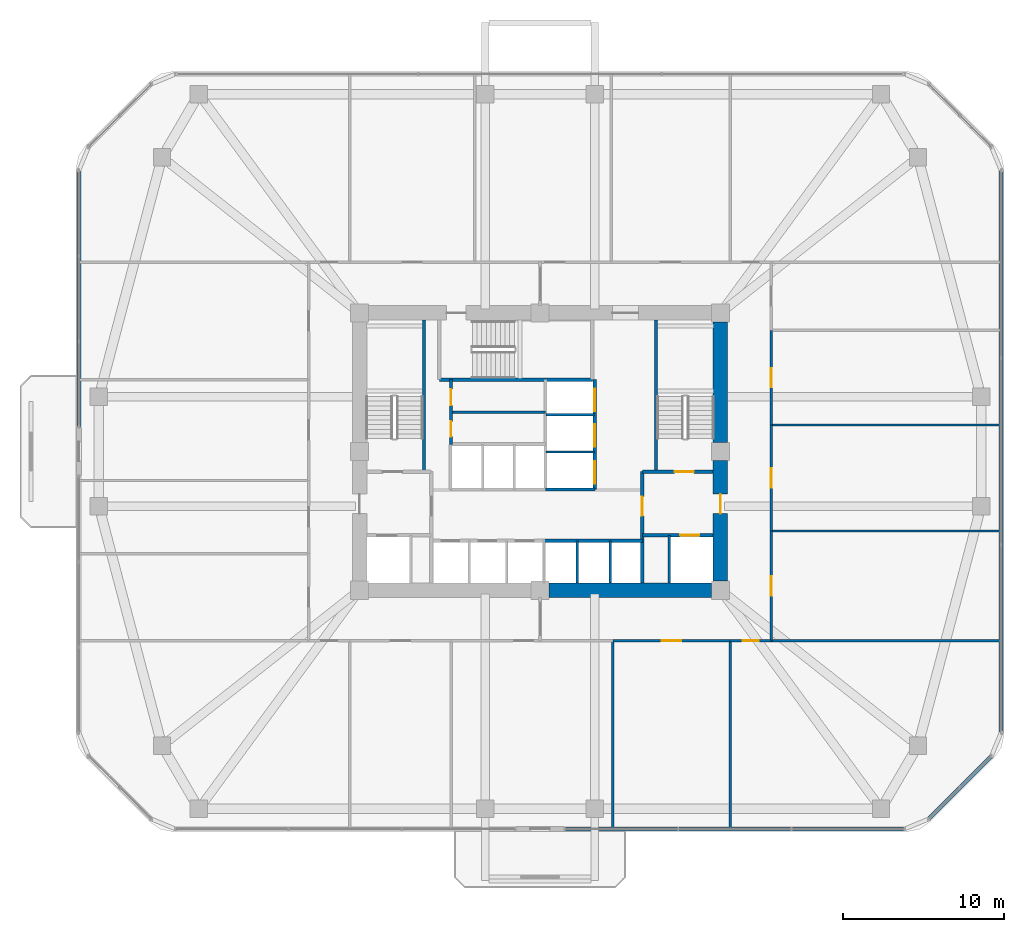
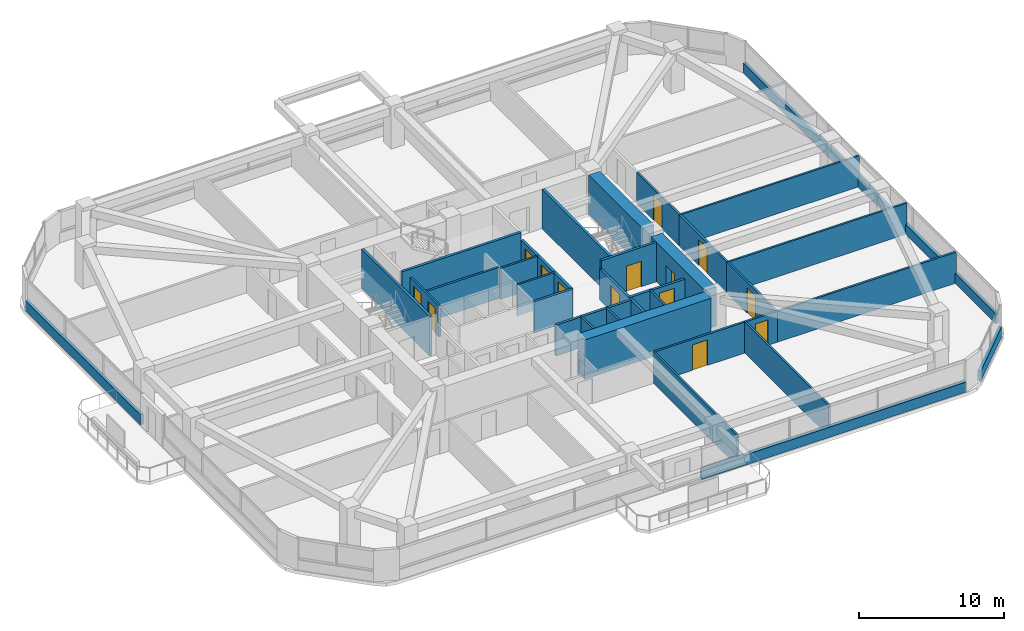
# One storey, part 10 of 13: 33 walls, 14 doors, 14 openings.
"""IFC4 building model written with IfcOpenShell, lengths in metres."""

from ifc_helpers import new_model, si_unit, derived_unit, direction, frame, frame_2d, origin, place, context, subcontext, project, spatial, rectangle, extrude, material, layer, layer_set, type_object, element, fill, save


model = new_model("IFC4")

# Units and contexts
model_context = context("Model", 3, precision=1e-05, world=origin(), true_north=direction((0.0, 1.0)))
body_context = subcontext(model_context, "Body", "Model", "MODEL_VIEW")
ifc_project = project(units=[si_unit("LENGTHUNIT", "METRE"), si_unit("AREAUNIT", "SQUARE_METRE"), si_unit("VOLUMEUNIT", "CUBIC_METRE"), si_unit("PLANEANGLEUNIT", "RADIAN"), si_unit("MASSUNIT", "GRAM", prefix="KILO"), derived_unit("THERMALTRANSMITTANCEUNIT", [(si_unit("POWERUNIT", "WATT"), 1), (si_unit("LENGTHUNIT", "METRE"), -2), (si_unit("THERMODYNAMICTEMPERATUREUNIT", "KELVIN"), -1)])], contexts=[model_context])

# Site, building, storey
site_placement = place(None, origin())
site = spatial("IfcSite", under=ifc_project, at=site_placement, CompositionType="ELEMENT")
building_placement = place(site_placement, origin())
building = spatial("IfcBuilding", under=site, at=building_placement, Name="Koralith Skygarden Medical Center", CompositionType="ELEMENT")
storey_placement = place(building_placement, frame((0.0, 0.0, 63.5400390625)))
storey = spatial("IfcBuildingStorey", under=building, at=storey_placement, Name="L16", CompositionType="ELEMENT", Elevation=63.5400390625)

# Walls
ifc_material_1 = material(Name="Gypsum Board Partition")
ifc_layer_1 = layer(ifc_material_1, 0.14990234375)
ifc_layer_set_1 = layer_set([ifc_layer_1], Name="Gypsum Board Partition")
wall_type_1 = type_object("IfcWallType", Name="Clinical Acoustic Partition 150", PredefinedType="PARTITIONING", material=ifc_layer_set_1)
for number, where, z_axis, x_axis, name in (
    (1, (41.527099609375, 14.14990234375, 0.0), (0.0, 0.0, 1.0), (0.0, -1.0, 0.0), "L16 Clinical Acoustic Partition 150 W-PART-L16-S-03"),
    (2, (48.800048828125, 14.14990234375, 0.0), (0.0, 0.0, 1.0), (0.0, -1.0, 0.0), "L16 Clinical Acoustic Partition 150 W-PART-L16-S-04"),
):
    element("IfcWall", number, at=place(storey_placement, frame(where, z_axis=z_axis, x_axis=x_axis)), inside=storey, type_object=wall_type_1, Name=name, PredefinedType="PARTITIONING", context=body_context, shape_type="SweptSolid", body=[
        extrude(rectangle(XDim=11.64990234375, YDim=0.14990234375, at=frame_2d((5.824951171875, 0.0))), origin(), (0.0, 0.0, 1.0), 2.60986328125),
    ])
for number, where, z_axis, x_axis, name in (
    (3, (51.35009765625, 20.965087890625, 0.0), (0.0, 0.0, 1.0), (1.0, 0.0, 0.0), "L16 Clinical Acoustic Partition 150 W-PART-L16-E-01"),
    (4, (51.35009765625, 27.544921875, 0.0), (0.0, 0.0, 1.0), (1.0, 0.0, 0.0), "L16 Clinical Acoustic Partition 150 W-PART-L16-E-02"),
):
    element("IfcWall", number, at=place(storey_placement, frame(where, z_axis=z_axis, x_axis=x_axis)), inside=storey, type_object=wall_type_1, Name=name, PredefinedType="PARTITIONING", context=body_context, shape_type="SweptSolid", body=[
        extrude(rectangle(XDim=14.25, YDim=0.14990234375, at=frame_2d((7.125, 0.0))), origin(), (0.0, 0.0, 1.0), 2.60986328125),
    ])
ifc_layer_2 = layer(ifc_material_1, 0.1650390625)
ifc_layer_set_2 = layer_set([ifc_layer_2], Name="Gypsum Board Partition")
wall_type_2 = type_object("IfcWallType", Name="Clinical Corridor Partition 165", PredefinedType="PARTITIONING", material=ifc_layer_set_2)
wall_1_placement = place(storey_placement, frame((51.35009765625, 14.14990234375, 0.0), z_axis=(0.0, 0.0, 1.0), x_axis=(1.0, 0.0, 0.0)))
element("IfcWall", 5, at=wall_1_placement, inside=storey, type_object=wall_type_2, Name="L16 Clinical Corridor Partition 165 W-WB-L16-SE", PredefinedType="PARTITIONING", context=body_context, shape_type="SweptSolid", body=[
    extrude(rectangle(XDim=14.25, YDim=0.1650390625, at=frame_2d((7.125, 0.0))), origin(), (0.0, 0.0, 1.0), 2.60986328125),
])

# Wall, opening, door
wall_2_placement = place(storey_placement, frame((41.527099609375, 14.14990234375, 0.0), z_axis=(0.0, 0.0, 1.0), x_axis=(1.0, 0.0, 0.0)))
wall_2 = element("IfcWall", 6, at=wall_2_placement, inside=storey, type_object=wall_type_2, Name="L16 Clinical Corridor Partition 165 W-CORR-L16-S-04", PredefinedType="PARTITIONING", context=body_context, shape_type="SweptSolid", body=[
    extrude(rectangle(XDim=7.27294921875, YDim=0.1650390625, at=frame_2d((3.636474609375, 0.0))), origin(), (0.0, 0.0, 1.0), 2.60986328125),
])
opening_1_placement = place(wall_2_placement, frame((3.035888671875, 0.0, 0.0)))
opening_1 = element("IfcOpeningElement", 7, at=opening_1_placement, cuts=wall_2, Name="Opening D-CLN", PredefinedType="OPENING", context=body_context, shape_type="SweptSolid", body=[
    extrude(rectangle(XDim=1.199951171875, YDim=2.14990234375, at=frame_2d((0.60009765625, 1.074951171875))), frame((0.0, 0.092529296875, 0.0), z_axis=(0.0, -1.0, 0.0), x_axis=(1.0, 0.0, 0.0)), (0.0, 0.0, 1.0), 0.18505859375),
])
ifc_material_2 = material(Name="Aluminium 6063-T6", Category="aluminium")
door_type_1 = type_object("IfcDoorType", Name="Clinical Corridor Door D-CLN 1200", OperationType="NOTDEFINED", PredefinedType="DOOR", material=ifc_material_2)
door_1_placement = place(opening_1_placement, frame((1.199951171875, 0.0, 0.0), z_axis=(0.0, 0.0, 1.0), x_axis=(-1.0, 0.0, 0.0)))
door_1 = element("IfcDoor", 8, at=door_1_placement, inside=storey, type_object=door_type_1, Name="L16 Medical Device Alcove Store 09 Door", OperationType="SINGLE_SWING_RIGHT", OverallHeight=2.14990234375, OverallWidth=1.199951171875, PredefinedType="DOOR", context=body_context, shape_type="SweptSolid", body=[
    extrude(rectangle(XDim=1.199951171875, YDim=2.14990234375, at=frame_2d((0.60009765625, 1.074951171875))), frame((0.0, 0.02490234375, 0.0), z_axis=(0.0, -1.0, 0.0), x_axis=(1.0, 0.0, 0.0)), (0.0, 0.0, 1.0), 0.050048828125),
])
fill(opening_1, door_1)

wall_3_placement = place(storey_placement, frame((48.800048828125, 14.14990234375, 0.0), z_axis=(0.0, 0.0, 1.0), x_axis=(1.0, 0.0, 0.0)))
wall_3 = element("IfcWall", 9, at=wall_3_placement, inside=storey, type_object=wall_type_2, Name="L16 Clinical Corridor Partition 165 W-CORR-L16-S-05", PredefinedType="PARTITIONING", context=body_context, shape_type="SweptSolid", body=[
    extrude(rectangle(XDim=2.550048828125, YDim=0.1650390625, at=frame_2d((1.27490234375, 0.0))), origin(), (0.0, 0.0, 1.0), 2.60986328125),
])
opening_2_placement = place(wall_3_placement, frame((0.77490234375, 0.0, 0.0)))
opening_2 = element("IfcOpeningElement", 10, at=opening_2_placement, cuts=wall_3, Name="Opening D-SUP", PredefinedType="OPENING", context=body_context, shape_type="SweptSolid", body=[
    extrude(rectangle(XDim=1.0, YDim=2.14990234375, at=frame_2d((0.5, 1.074951171875))), frame((0.0, 0.092529296875, 0.0), z_axis=(0.0, -1.0, 0.0), x_axis=(1.0, 0.0, 0.0)), (0.0, 0.0, 1.0), 0.18505859375),
])
door_type_2 = type_object("IfcDoorType", Name="Clinical Support Door D-SUP 1000", OperationType="NOTDEFINED", PredefinedType="DOOR", material=ifc_material_2)
door_2_placement = place(opening_2_placement, frame((1.0, 0.0, 0.0), z_axis=(0.0, 0.0, 1.0), x_axis=(-1.0, 0.0, 0.0)))
door_2 = element("IfcDoor", 11, at=door_2_placement, inside=storey, type_object=door_type_2, Name="L16 Neurology Consultation Office 10 Door", OperationType="SINGLE_SWING_LEFT", OverallHeight=2.14990234375, OverallWidth=1.0, PredefinedType="DOOR", context=body_context, shape_type="SweptSolid", body=[
    extrude(rectangle(XDim=1.0, YDim=2.14990234375, at=frame_2d((0.5, 1.074951171875))), frame((0.0, 0.02490234375, 0.0), z_axis=(0.0, -1.0, 0.0), x_axis=(1.0, 0.0, 0.0)), (0.0, 0.0, 1.0), 0.050048828125),
])
fill(opening_2, door_2)

wall_4_placement = place(storey_placement, frame((51.35009765625, 14.14990234375, 0.0), z_axis=(0.0, 0.0, 1.0), x_axis=(0.0, 1.0, 0.0)))
wall_4 = element("IfcWall", 12, at=wall_4_placement, inside=storey, type_object=wall_type_2, Name="L16 Clinical Corridor Partition 165 W-CORR-L16-E-01", PredefinedType="PARTITIONING", context=body_context, shape_type="SweptSolid", body=[
    extrude(rectangle(XDim=6.815185546875, YDim=0.1650390625, at=frame_2d((3.40771484375, 0.0))), origin(), (0.0, 0.0, 1.0), 2.60986328125),
])
opening_3_placement = place(wall_4_placement, frame((2.806884765625, 0.0, 0.0)))
opening_3 = element("IfcOpeningElement", 13, at=opening_3_placement, cuts=wall_4, Name="Opening D-CLN", PredefinedType="OPENING", context=body_context, shape_type="SweptSolid", body=[
    extrude(rectangle(XDim=1.199951171875, YDim=2.14990234375, at=frame_2d((0.60009765625, 1.074951171875))), frame((0.0, 0.092529296875, 0.0), z_axis=(0.0, -1.0, 0.0), x_axis=(1.0, 0.0, 0.0)), (0.0, 0.0, 1.0), 0.18505859375),
])
door_3_placement = place(opening_3_placement, origin())
door_3 = element("IfcDoor", 14, at=door_3_placement, inside=storey, type_object=door_type_1, Name="L16 Neurology Consultation Office 15 Door", OperationType="SINGLE_SWING_RIGHT", OverallHeight=2.14990234375, OverallWidth=1.199951171875, PredefinedType="DOOR", context=body_context, shape_type="SweptSolid", body=[
    extrude(rectangle(XDim=1.199951171875, YDim=2.14990234375, at=frame_2d((0.60009765625, 1.074951171875))), frame((0.0, 0.02490234375, 0.0), z_axis=(0.0, -1.0, 0.0), x_axis=(1.0, 0.0, 0.0)), (0.0, 0.0, 1.0), 0.050048828125),
])
fill(opening_3, door_3)

wall_5_placement = place(storey_placement, frame((51.35009765625, 20.965087890625, 0.0), z_axis=(0.0, 0.0, 1.0), x_axis=(0.0, 1.0, 0.0)))
wall_5 = element("IfcWall", 15, at=wall_5_placement, inside=storey, type_object=wall_type_2, Name="L16 Clinical Corridor Partition 165 W-CORR-L16-E-02", PredefinedType="PARTITIONING", context=body_context, shape_type="SweptSolid", body=[
    extrude(rectangle(XDim=6.579833984375, YDim=0.1650390625, at=frame_2d((3.2900390625, 0.0))), origin(), (0.0, 0.0, 1.0), 2.60986328125),
])
opening_4_placement = place(wall_5_placement, frame((2.68994140625, 0.0, 0.0)))
opening_4 = element("IfcOpeningElement", 16, at=opening_4_placement, cuts=wall_5, Name="Opening D-CLN", PredefinedType="OPENING", context=body_context, shape_type="SweptSolid", body=[
    extrude(rectangle(XDim=1.199951171875, YDim=2.14990234375, at=frame_2d((0.60009765625, 1.074951171875))), frame((0.0, 0.092529296875, 0.0), z_axis=(0.0, -1.0, 0.0), x_axis=(1.0, 0.0, 0.0)), (0.0, 0.0, 1.0), 0.18505859375),
])
door_4_placement = place(opening_4_placement, origin())
door_4 = element("IfcDoor", 17, at=door_4_placement, inside=storey, type_object=door_type_1, Name="L16 Electromyography Reading Office 16 Door", OperationType="SINGLE_SWING_LEFT", OverallHeight=2.14990234375, OverallWidth=1.199951171875, PredefinedType="DOOR", context=body_context, shape_type="SweptSolid", body=[
    extrude(rectangle(XDim=1.199951171875, YDim=2.14990234375, at=frame_2d((0.60009765625, 1.074951171875))), frame((0.0, 0.02490234375, 0.0), z_axis=(0.0, -1.0, 0.0), x_axis=(1.0, 0.0, 0.0)), (0.0, 0.0, 1.0), 0.050048828125),
])
fill(opening_4, door_4)

wall_6_placement = place(storey_placement, frame((51.35009765625, 27.544921875, 0.0), z_axis=(0.0, 0.0, 1.0), x_axis=(0.0, 1.0, 0.0)))
wall_6 = element("IfcWall", 18, at=wall_6_placement, inside=storey, type_object=wall_type_2, Name="L16 Clinical Corridor Partition 165 W-CORR-L16-E-03", PredefinedType="PARTITIONING", context=body_context, shape_type="SweptSolid", body=[
    extrude(rectangle(XDim=5.875, YDim=0.1650390625, at=frame_2d((2.9375, 0.0))), origin(), (0.0, 0.0, 1.0), 2.60986328125),
])
opening_5_placement = place(wall_6_placement, frame((2.3369140625, 0.0, 0.0)))
opening_5 = element("IfcOpeningElement", 19, at=opening_5_placement, cuts=wall_6, Name="Opening D-CLN", PredefinedType="OPENING", context=body_context, shape_type="SweptSolid", body=[
    extrude(rectangle(XDim=1.199951171875, YDim=2.14990234375, at=frame_2d((0.60009765625, 1.074951171875))), frame((0.0, 0.092529296875, 0.0), z_axis=(0.0, -1.0, 0.0), x_axis=(1.0, 0.0, 0.0)), (0.0, 0.0, 1.0), 0.18505859375),
])
door_5_placement = place(opening_5_placement, origin())
door_5 = element("IfcDoor", 20, at=door_5_placement, inside=storey, type_object=door_type_1, Name="L16 Neuropsychology Testing Office 17 Door", OperationType="SINGLE_SWING_RIGHT", OverallHeight=2.14990234375, OverallWidth=1.199951171875, PredefinedType="DOOR", context=body_context, shape_type="SweptSolid", body=[
    extrude(rectangle(XDim=1.199951171875, YDim=2.14990234375, at=frame_2d((0.60009765625, 1.074951171875))), frame((0.0, 0.02490234375, 0.0), z_axis=(0.0, -1.0, 0.0), x_axis=(1.0, 0.0, 0.0)), (0.0, 0.0, 1.0), 0.050048828125),
])
fill(opening_5, door_5)

ifc_layer_3 = layer(ifc_material_1, 0.199951171875)
ifc_layer_set_3 = layer_set([ifc_layer_3], Name="Gypsum Board Partition")
wall_type_3 = type_object("IfcWallType", Name="Fire Shaft Wall 200", PredefinedType="SOLIDWALL", material=ifc_layer_set_3)
wall_7_placement = place(storey_placement, frame((43.35009765625, 20.699951171875, 0.0), z_axis=(0.0, 0.0, 1.0), x_axis=(1.0, 0.0, 0.0)))
wall_7 = element("IfcWall", 21, at=wall_7_placement, inside=storey, type_object=wall_type_3, Name="L16 Fire Shaft Wall 200 W-CORE-L16-FF2-N", PredefinedType="SOLIDWALL", context=body_context, shape_type="SweptSolid", body=[
    extrude(rectangle(XDim=4.39990234375, YDim=0.199951171875, at=frame_2d((2.199951171875, 0.0))), origin(), (0.0, 0.0, 1.0), 2.60986328125),
])
opening_6_placement = place(wall_7_placement, frame((2.35009765625, 0.0, 0.0)))
opening_6 = element("IfcOpeningElement", 22, at=opening_6_placement, cuts=wall_7, Name="Opening LD-FF", PredefinedType="OPENING", context=body_context, shape_type="SweptSolid", body=[
    extrude(rectangle(XDim=1.199951171875, YDim=2.14990234375, at=frame_2d((0.60009765625, 1.074951171875))), frame((0.0, 0.10986328125, 0.0), z_axis=(0.0, -1.0, 0.0), x_axis=(1.0, 0.0, 0.0)), (0.0, 0.0, 1.0), 0.219970703125),
])
ifc_material_3 = material(Name="Steel ASTM A500 Grade C", Category="steel")
door_type_3 = type_object("IfcDoorType", Name="Fire Lift Sliding Landing Door LD-FF 1200", OperationType="NOTDEFINED", PredefinedType="DOOR", material=ifc_material_3)
door_6_placement = place(opening_6_placement, origin())
door_6 = element("IfcDoor", 23, at=door_6_placement, inside=storey, type_object=door_type_3, Name="L16 Fire Service Elevator FF2 Landing Door", OperationType="SLIDING_TO_RIGHT", OverallHeight=2.14990234375, OverallWidth=1.199951171875, PredefinedType="DOOR", context=body_context, shape_type="SweptSolid", body=[
    extrude(rectangle(XDim=1.199951171875, YDim=2.14990234375, at=frame_2d((0.60009765625, 1.074951171875))), frame((0.0, 0.02490234375, 0.0), z_axis=(0.0, -1.0, 0.0), x_axis=(1.0, 0.0, 0.0)), (0.0, 0.0, 1.0), 0.050048828125),
])
fill(opening_6, door_6)

wall_8_placement = place(storey_placement, frame((43.35009765625, 17.75, 0.0), z_axis=(0.0, 0.0, 1.0), x_axis=(0.0, 1.0, 0.0)))
wall_8 = element("IfcWall", 24, at=wall_8_placement, inside=storey, type_object=wall_type_3, Name="L16 Fire Shaft Wall 200 W-CORE-L16-FSAEE-W", PredefinedType="SOLIDWALL", context=body_context, shape_type="SweptSolid", body=[
    extrude(rectangle(XDim=6.89990234375, YDim=0.199951171875, at=frame_2d((3.449951171875, 0.0))), origin(), (0.0, 0.0, 1.0), 2.60986328125),
])
opening_7_placement = place(wall_8_placement, frame((4.14990234375, 0.0, 0.0)))
opening_7 = element("IfcOpeningElement", 25, at=opening_7_placement, cuts=wall_8, Name="Opening D-ST60", PredefinedType="OPENING", context=body_context, shape_type="SweptSolid", body=[
    extrude(rectangle(XDim=1.199951171875, YDim=2.14990234375, at=frame_2d((0.60009765625, 1.074951171875))), frame((0.0, 0.10986328125, 0.0), z_axis=(0.0, -1.0, 0.0), x_axis=(1.0, 0.0, 0.0)), (0.0, 0.0, 1.0), 0.219970703125),
])
door_type_4 = type_object("IfcDoorType", Name="Smokeproof Stair Fire Door FD60S 1200", OperationType="NOTDEFINED", PredefinedType="DOOR", material=ifc_material_3)
door_7_placement = place(opening_7_placement, frame((1.199951171875, 0.0, 0.0), z_axis=(0.0, 0.0, 1.0), x_axis=(-1.0, 0.0, 0.0)))
door_7 = element("IfcDoor", 26, at=door_7_placement, inside=storey, type_object=door_type_4, Name="L16 East Firefighting Lobby Inner Fire Door", OperationType="SINGLE_SWING_RIGHT", OverallHeight=2.14990234375, OverallWidth=1.199951171875, PredefinedType="DOOR", context=body_context, shape_type="SweptSolid", body=[
    extrude(rectangle(XDim=1.199951171875, YDim=2.14990234375, at=frame_2d((0.60009765625, 1.074951171875))), frame((0.0, 0.02490234375, 0.0), z_axis=(0.0, -1.0, 0.0), x_axis=(1.0, 0.0, 0.0)), (0.0, 0.0, 1.0), 0.050048828125),
])
fill(opening_7, door_7)

# Walls
wall_9_placement = place(storey_placement, frame((37.25, 20.360107421875, 0.0), z_axis=(0.0, 0.0, 1.0), x_axis=(1.0, 0.0, 0.0)))
element("IfcWall", 27, at=wall_9_placement, inside=storey, type_object=wall_type_3, Name="L16 Fire Shaft Wall 200 W-CORE-L16-PM-N", PredefinedType="SOLIDWALL", context=body_context, shape_type="SweptSolid", body=[
    extrude(rectangle(XDim=6.10009765625, YDim=0.199951171875, at=frame_2d((3.050048828125, 0.0))), origin(), (0.0, 0.0, 1.0), 2.60986328125),
])
wall_10_placement = place(storey_placement, frame((37.35009765625, 23.5400390625, 0.0), z_axis=(0.0, 0.0, 1.0), x_axis=(1.0, 0.0, 0.0)))
element("IfcWall", 28, at=wall_10_placement, inside=storey, type_object=wall_type_3, Name="L16 Fire Shaft Wall 200 W-CORE-L16-SV-S", PredefinedType="SOLIDWALL", context=body_context, shape_type="SweptSolid", body=[
    extrude(rectangle(XDim=3.0498046875, YDim=0.199951171875, at=frame_2d((1.52490234375, 0.0))), origin(), (0.0, 0.0, 1.0), 2.60986328125),
])

# Wall, openings, doors
wall_11_placement = place(storey_placement, frame((40.39990234375, 23.5400390625, 0.0), z_axis=(0.0, 0.0, 1.0), x_axis=(0.0, 1.0, 0.0)))
wall_11 = element("IfcWall", 29, at=wall_11_placement, inside=storey, type_object=wall_type_3, Name="L16 Fire Shaft Wall 200 W-CORE-L16-SV-E", PredefinedType="SOLIDWALL", context=body_context, shape_type="SweptSolid", body=[
    extrude(rectangle(XDim=6.820068359375, YDim=0.199951171875, at=frame_2d((3.41015625, 0.0))), origin(), (0.0, 0.0, 1.0), 2.60986328125),
])
opening_8_placement = place(wall_11_placement, frame((0.35009765625, 0.0, 0.0)))
opening_8 = element("IfcOpeningElement", 30, at=opening_8_placement, cuts=wall_11, Name="Opening LD-SV", PredefinedType="OPENING", context=body_context, shape_type="SweptSolid", body=[
    extrude(rectangle(XDim=1.39990234375, YDim=2.199951171875, at=frame_2d((0.699951171875, 1.10009765625))), frame((0.0, 0.10986328125, 0.0), z_axis=(0.0, -1.0, 0.0), x_axis=(1.0, 0.0, 0.0)), (0.0, 0.0, 1.0), 0.219970703125),
])
opening_9_placement = place(wall_11_placement, frame((2.64990234375, 0.0, 0.0)))
opening_9 = element("IfcOpeningElement", 31, at=opening_9_placement, cuts=wall_11, Name="Opening LD-SV", PredefinedType="OPENING", context=body_context, shape_type="SweptSolid", body=[
    extrude(rectangle(XDim=1.39990234375, YDim=2.199951171875, at=frame_2d((0.699951171875, 1.10009765625))), frame((0.0, 0.10986328125, 0.0), z_axis=(0.0, -1.0, 0.0), x_axis=(1.0, 0.0, 0.0)), (0.0, 0.0, 1.0), 0.219970703125),
])
opening_10_placement = place(wall_11_placement, frame((4.85009765625, 0.0, 0.0)))
opening_10 = element("IfcOpeningElement", 32, at=opening_10_placement, cuts=wall_11, Name="Opening LD-SV", PredefinedType="OPENING", context=body_context, shape_type="SweptSolid", body=[
    extrude(rectangle(XDim=1.39990234375, YDim=2.199951171875, at=frame_2d((0.699951171875, 1.10009765625))), frame((0.0, 0.10986328125, 0.0), z_axis=(0.0, -1.0, 0.0), x_axis=(1.0, 0.0, 0.0)), (0.0, 0.0, 1.0), 0.219970703125),
])
door_type_5 = type_object("IfcDoorType", Name="Bed Lift Sliding Landing Door LD-SV 1400", OperationType="NOTDEFINED", PredefinedType="DOOR", material=ifc_material_3)
door_8_placement = place(opening_8_placement, origin())
door_8 = element("IfcDoor", 33, at=door_8_placement, inside=storey, type_object=door_type_5, Name="L16 Bed Elevator BD1 Landing Door", OperationType="SLIDING_TO_LEFT", OverallHeight=2.199951171875, OverallWidth=1.39990234375, PredefinedType="DOOR", context=body_context, shape_type="SweptSolid", body=[
    extrude(rectangle(XDim=1.39990234375, YDim=2.199951171875, at=frame_2d((0.699951171875, 1.10009765625))), frame((0.0, 0.02490234375, 0.0), z_axis=(0.0, -1.0, 0.0), x_axis=(1.0, 0.0, 0.0)), (0.0, 0.0, 1.0), 0.050048828125),
])
fill(opening_8, door_8)
door_9_placement = place(opening_9_placement, origin())
door_9 = element("IfcDoor", 34, at=door_9_placement, inside=storey, type_object=door_type_5, Name="L16 Service Elevator BD2 Landing Door", OperationType="SLIDING_TO_LEFT", OverallHeight=2.199951171875, OverallWidth=1.39990234375, PredefinedType="DOOR", context=body_context, shape_type="SweptSolid", body=[
    extrude(rectangle(XDim=1.39990234375, YDim=2.199951171875, at=frame_2d((0.699951171875, 1.10009765625))), frame((0.0, 0.02490234375, 0.0), z_axis=(0.0, -1.0, 0.0), x_axis=(1.0, 0.0, 0.0)), (0.0, 0.0, 1.0), 0.050048828125),
])
fill(opening_9, door_9)
door_10_placement = place(opening_10_placement, origin())
door_10 = element("IfcDoor", 35, at=door_10_placement, inside=storey, type_object=door_type_5, Name="L16 Trauma Elevator TR1 Landing Door", OperationType="SLIDING_TO_RIGHT", OverallHeight=2.199951171875, OverallWidth=1.39990234375, PredefinedType="DOOR", context=body_context, shape_type="SweptSolid", body=[
    extrude(rectangle(XDim=1.39990234375, YDim=2.199951171875, at=frame_2d((0.699951171875, 1.10009765625))), frame((0.0, 0.02490234375, 0.0), z_axis=(0.0, -1.0, 0.0), x_axis=(1.0, 0.0, 0.0)), (0.0, 0.0, 1.0), 0.050048828125),
])
fill(opening_10, door_10)

# Walls
ifc_material_4 = material(Name="Warm Oolitic Limestone Cladding", Category="masonry")
ifc_layer_4 = layer(ifc_material_4, 0.239990234375)
ifc_layer_set_4 = layer_set([ifc_layer_4], Name="Warm Oolitic Limestone Cladding")
wall_type_4 = type_object("IfcWallType", Name="Limestone Spandrel Sill Backup Wall 240", PredefinedType="SOLIDWALL", material=ifc_layer_set_4)
wall_12_placement = place(storey_placement, frame((38.5400390625, 2.47998046875, 0.0), z_axis=(0.0, 0.0, 1.0), x_axis=(1.0, 0.0, 0.0)))
element("IfcWall", 36, at=wall_12_placement, inside=storey, type_object=wall_type_4, Name="L16 Sill Spandrel S-R", PredefinedType="SOLIDWALL", context=body_context, shape_type="SweptSolid", body=[
    extrude(rectangle(XDim=21.10498046875, YDim=0.239990234375, at=frame_2d((10.552490234375, 0.0))), origin(), (0.0, 0.0, 1.0), 0.849853515625),
])
wall_13_placement = place(storey_placement, frame((61.095947265625, 3.0810546875, 0.0), z_axis=(0.0, 0.0, 1.0), x_axis=(0.707128783731, 0.707084777957, 0.0)))
element("IfcWall", 37, at=wall_13_placement, inside=storey, type_object=wall_type_4, Name="L16 Sill Spandrel SE", PredefinedType="SOLIDWALL", context=body_context, shape_type="SweptSolid", body=[
    extrude(rectangle(XDim=5.5478515625, YDim=0.239990234375, at=frame_2d((2.77392578125, 0.0))), origin(), (0.0, 0.0, 1.0), 0.849853515625),
])
wall_14_placement = place(storey_placement, frame((65.6201171875, 8.455078125, 0.0), z_axis=(0.0, 0.0, 1.0), x_axis=(0.0, 1.0, 0.0)))
element("IfcWall", 38, at=wall_14_placement, inside=storey, type_object=wall_type_4, Name="L16 Sill Spandrel E", PredefinedType="SOLIDWALL", context=body_context, shape_type="SweptSolid", body=[
    extrude(rectangle(XDim=34.889892578125, YDim=0.239990234375, at=frame_2d((17.44482421875, 0.0))), origin(), (0.0, 0.0, 1.0), 0.849853515625),
])
wall_15_placement = place(storey_placement, frame((8.3798828125, 43.344970703125, 0.0), z_axis=(0.0, 0.0, 1.0), x_axis=(0.0, -1.0, 0.0)))
element("IfcWall", 39, at=wall_15_placement, inside=storey, type_object=wall_type_4, Name="L16 Sill Spandrel W-L", PredefinedType="SOLIDWALL", context=body_context, shape_type="SweptSolid", body=[
    extrude(rectangle(XDim=15.905029296875, YDim=0.239990234375, at=frame_2d((7.95263671875, 0.0))), origin(), (0.0, 0.0, 1.0), 0.849853515625),
])
ifc_material_5 = material(Name="Concrete C70/85", Category="concrete")
ifc_layer_5 = layer(ifc_material_5, 0.89990234375)
ifc_layer_set_5 = layer_set([ifc_layer_5], Name="Concrete C70/85")
wall_type_5 = type_object("IfcWallType", Name="Lower Core Shear Wall 900", PredefinedType="SHEAR", material=ifc_layer_set_5)
wall_16_placement = place(storey_placement, frame((37.56494140625, 17.300048828125, 0.0), z_axis=(0.0, 0.0, 1.0), x_axis=(1.0, 0.0, 0.0)))
element("IfcWall", 40, at=wall_16_placement, inside=storey, type_object=wall_type_5, Name="L16 Core Shear Wall Segment 2", PredefinedType="SHEAR", context=body_context, shape_type="SweptSolid", body=[
    extrude(rectangle(XDim=10.070068359375, YDim=0.89990234375, at=frame_2d((5.03515625, 0.0))), origin(), (0.0, 0.0, 1.0), 3.320068359375),
])

# Wall, opening, door
wall_17_placement = place(storey_placement, frame((48.199951171875, 17.864990234375, 0.0), z_axis=(0.0, 0.0, 1.0), x_axis=(0.0, 1.0, 0.0)))
wall_17 = element("IfcWall", 41, at=wall_17_placement, inside=storey, type_object=wall_type_5, Name="L16 Core Shear Wall Segment 3", PredefinedType="SHEAR", context=body_context, shape_type="SweptSolid", body=[
    extrude(rectangle(XDim=7.469970703125, YDim=0.89990234375, at=frame_2d((3.73486328125, 0.0))), origin(), (0.0, 0.0, 1.0), 3.320068359375),
])
opening_11_placement = place(wall_17_placement, frame((4.18505859375, 0.0, 0.0)))
opening_11 = element("IfcOpeningElement", 42, at=opening_11_placement, cuts=wall_17, Name="Opening D-ST60", PredefinedType="OPENING", context=body_context, shape_type="SweptSolid", body=[
    extrude(rectangle(XDim=1.199951171875, YDim=2.14990234375, at=frame_2d((0.60009765625, 1.074951171875))), frame((0.0, 0.4599609375, 0.0), z_axis=(0.0, -1.0, 0.0), x_axis=(1.0, 0.0, 0.0)), (0.0, 0.0, 1.0), 0.919921875),
])
door_11_placement = place(opening_11_placement, frame((1.199951171875, 0.0, 0.0), z_axis=(0.0, 0.0, 1.0), x_axis=(-1.0, 0.0, 0.0)))
door_11 = element("IfcDoor", 43, at=door_11_placement, inside=storey, type_object=door_type_4, Name="L16 East Corridor to Firefighting Lobby Door", OperationType="SINGLE_SWING_RIGHT", OverallHeight=2.14990234375, OverallWidth=1.199951171875, PredefinedType="DOOR", context=body_context, shape_type="SweptSolid", body=[
    extrude(rectangle(XDim=1.199951171875, YDim=2.14990234375, at=frame_2d((0.60009765625, 1.074951171875))), frame((0.0, 0.02490234375, 0.0), z_axis=(0.0, -1.0, 0.0), x_axis=(1.0, 0.0, 0.0)), (0.0, 0.0, 1.0), 0.050048828125),
])
fill(opening_11, door_11)

# Wall
wall_18_placement = place(storey_placement, frame((48.199951171875, 26.465087890625, 0.0), z_axis=(0.0, 0.0, 1.0), x_axis=(0.0, 1.0, 0.0)))
element("IfcWall", 44, at=wall_18_placement, inside=storey, type_object=wall_type_5, Name="L16 Core Shear Wall Segment 4", PredefinedType="SHEAR", context=body_context, shape_type="SweptSolid", body=[
    extrude(rectangle(XDim=7.469970703125, YDim=0.89990234375, at=frame_2d((3.73486328125, 0.0))), origin(), (0.0, 0.0, 1.0), 3.320068359375),
])

# Wall, openings, doors
ifc_layer_6 = layer(ifc_material_1, 0.1650390625)
ifc_layer_set_6 = layer_set([ifc_layer_6], Name="Gypsum Board Partition")
wall_type_6 = type_object("IfcWallType", Name="Plumbing Wet Wall 165", PredefinedType="PLUMBINGWALL", material=ifc_layer_set_6)
wall_19_placement = place(storey_placement, frame((31.47998046875, 26.320068359375, 0.0), z_axis=(0.0, 0.0, 1.0), x_axis=(0.0, 1.0, 0.0)))
wall_19 = element("IfcWall", 45, at=wall_19_placement, inside=storey, type_object=wall_type_6, Name="L16 Plumbing Wet Wall 165 W-CORE-L16-FLEX-W", PredefinedType="PLUMBINGWALL", context=body_context, shape_type="SweptSolid", body=[
    extrude(rectangle(XDim=4.0400390625, YDim=0.1650390625, at=frame_2d((2.02001953125, 0.0))), origin(), (0.0, 0.0, 1.0), 2.60986328125),
])
opening_12_placement = place(wall_19_placement, frame((0.5, 0.0, 0.0)))
opening_12 = element("IfcOpeningElement", 46, at=opening_12_placement, cuts=wall_19, Name="Opening D-WC", PredefinedType="OPENING", context=body_context, shape_type="SweptSolid", body=[
    extrude(rectangle(XDim=0.949951171875, YDim=2.10009765625, at=frame_2d((0.47509765625, 1.050048828125))), frame((0.0, 0.092529296875, 0.0), z_axis=(0.0, -1.0, 0.0), x_axis=(1.0, 0.0, 0.0)), (0.0, 0.0, 1.0), 0.18505859375),
])
opening_13_placement = place(wall_19_placement, frame((2.449951171875, 0.0, 0.0)))
opening_13 = element("IfcOpeningElement", 47, at=opening_13_placement, cuts=wall_19, Name="Opening D-SUP", PredefinedType="OPENING", context=body_context, shape_type="SweptSolid", body=[
    extrude(rectangle(XDim=1.0, YDim=2.14990234375, at=frame_2d((0.5, 1.074951171875))), frame((0.0, 0.092529296875, 0.0), z_axis=(0.0, -1.0, 0.0), x_axis=(1.0, 0.0, 0.0)), (0.0, 0.0, 1.0), 0.18505859375),
])
door_type_6 = type_object("IfcDoorType", Name="Accessible Toilet Door D-WC 950", OperationType="NOTDEFINED", PredefinedType="DOOR", material=ifc_material_2)
door_12_placement = place(opening_12_placement, frame((0.949951171875, 0.0, 0.0), z_axis=(0.0, 0.0, 1.0), x_axis=(-1.0, 0.0, 0.0)))
door_12 = element("IfcDoor", 48, at=door_12_placement, inside=storey, type_object=door_type_6, Name="L16 Core Accessible WC Door", OperationType="SINGLE_SWING_LEFT", OverallHeight=2.10009765625, OverallWidth=0.949951171875, PredefinedType="DOOR", context=body_context, shape_type="SweptSolid", body=[
    extrude(rectangle(XDim=0.949951171875, YDim=2.10009765625, at=frame_2d((0.47509765625, 1.050048828125))), frame((0.0, 0.02490234375, 0.0), z_axis=(0.0, -1.0, 0.0), x_axis=(1.0, 0.0, 0.0)), (0.0, 0.0, 1.0), 0.050048828125),
])
fill(opening_12, door_12)
door_13_placement = place(opening_13_placement, frame((1.0, 0.0, 0.0), z_axis=(0.0, 0.0, 1.0), x_axis=(-1.0, 0.0, 0.0)))
door_13 = element("IfcDoor", 49, at=door_13_placement, inside=storey, type_object=door_type_2, Name="L16 Core Clean Utility Door", OperationType="SINGLE_SWING_RIGHT", OverallHeight=2.14990234375, OverallWidth=1.0, PredefinedType="DOOR", context=body_context, shape_type="SweptSolid", body=[
    extrude(rectangle(XDim=1.0, YDim=2.14990234375, at=frame_2d((0.5, 1.074951171875))), frame((0.0, 0.02490234375, 0.0), z_axis=(0.0, -1.0, 0.0), x_axis=(1.0, 0.0, 0.0)), (0.0, 0.0, 1.0), 0.050048828125),
])
fill(opening_13, door_13)

# Walls
wall_20_placement = place(storey_placement, frame((31.47998046875, 28.340087890625, 0.0), z_axis=(0.0, 0.0, 1.0), x_axis=(1.0, 0.0, 0.0)))
element("IfcWall", 50, at=wall_20_placement, inside=storey, type_object=wall_type_6, Name="L16 Plumbing Wet Wall 165 W-CORE-L16-FLEX-H0", PredefinedType="PLUMBINGWALL", context=body_context, shape_type="SweptSolid", body=[
    extrude(rectangle(XDim=5.8701171875, YDim=0.1650390625, at=frame_2d((2.93505859375, 0.0))), origin(), (0.0, 0.0, 1.0), 2.60986328125),
])
ifc_layer_7 = layer(ifc_material_1, 0.14990234375)
ifc_layer_set_7 = layer_set([ifc_layer_7], Name="Gypsum Board Partition")
wall_type_7 = type_object("IfcWallType", Name="Shaft Partition Wall 150", PredefinedType="PARTITIONING", material=ifc_layer_set_7)
wall_21_placement = place(storey_placement, frame((45.02001953125, 17.75, 0.0), z_axis=(0.0, 0.0, 1.0), x_axis=(0.0, 1.0, 0.0)))
element("IfcWall", 51, at=wall_21_placement, inside=storey, type_object=wall_type_7, Name="L16 Shaft Partition Wall 150 W-CORE-L16-RSRE-DIV", PredefinedType="PARTITIONING", context=body_context, shape_type="SweptSolid", body=[
    extrude(rectangle(XDim=2.949951171875, YDim=0.14990234375, at=frame_2d((1.47509765625, 0.0))), origin(), (0.0, 0.0, 1.0), 2.60986328125),
])
for number, where, z_axis, x_axis, name in (
    (52, (39.320068359375, 17.75, 0.0), (0.0, 0.0, 1.0), (0.0, 1.0, 0.0), "L16 Shaft Partition Wall 150 W-CORE-L16-PM-D1"),
    (53, (41.3701171875, 17.75, 0.0), (0.0, 0.0, 1.0), (0.0, 1.0, 0.0), "L16 Shaft Partition Wall 150 W-CORE-L16-PM-D2"),
):
    element("IfcWall", number, at=place(storey_placement, frame(where, z_axis=z_axis, x_axis=x_axis)), inside=storey, type_object=wall_type_7, Name=name, PredefinedType="PARTITIONING", context=body_context, shape_type="SweptSolid", body=[
        extrude(rectangle(XDim=2.610107421875, YDim=0.14990234375, at=frame_2d((1.30517578125, 0.0))), origin(), (0.0, 0.0, 1.0), 2.60986328125),
    ])
for number, where, z_axis, x_axis, name in (
    (54, (37.3701171875, 25.8701171875, 0.0), (0.0, 0.0, 1.0), (1.0, 0.0, 0.0), "L16 Shaft Partition Wall 150 W-CORE-L16-SV-D1"),
    (55, (37.3701171875, 28.169921875, 0.0), (0.0, 0.0, 1.0), (1.0, 0.0, 0.0), "L16 Shaft Partition Wall 150 W-CORE-L16-SV-D2"),
):
    element("IfcWall", number, at=place(storey_placement, frame(where, z_axis=z_axis, x_axis=x_axis)), inside=storey, type_object=wall_type_7, Name=name, PredefinedType="PARTITIONING", context=body_context, shape_type="SweptSolid", body=[
        extrude(rectangle(XDim=3.009765625, YDim=0.14990234375, at=frame_2d((1.5048828125, 0.0))), origin(), (0.0, 0.0, 1.0), 2.60986328125),
    ])
ifc_material_6 = material(Name="Concrete C45/55", Category="concrete")
ifc_layer_8 = layer(ifc_material_6, 0.199951171875)
ifc_layer_set_8 = layer_set([ifc_layer_8], Name="Concrete C45/55")
wall_type_8 = type_object("IfcWallType", Name="Structural Stair Shaft Wall 200", PredefinedType="SHEAR", material=ifc_layer_set_8)
for number, where, z_axis, x_axis, name in (
    (56, (29.800048828125, 24.64990234375, 0.0), (0.0, 0.0, 1.0), (0.0, 1.0, 0.0), "L16 Structural Stair Shaft Wall 200 W-CORE-L16-ST1-E"),
    (57, (44.199951171875, 24.64990234375, 0.0), (0.0, 0.0, 1.0), (0.0, 1.0, 0.0), "L16 Structural Stair Shaft Wall 200 W-CORE-L16-ST2-W"),
):
    element("IfcWall", number, at=place(storey_placement, frame(where, z_axis=z_axis, x_axis=x_axis)), inside=storey, type_object=wall_type_8, Name=name, PredefinedType="SHEAR", context=body_context, shape_type="SweptSolid", body=[
        extrude(rectangle(XDim=9.400146484375, YDim=0.199951171875, at=frame_2d((4.7001953125, 0.0))), origin(), (0.0, 0.0, 1.0), 3.320068359375),
    ])

# Wall, opening, door
wall_22_placement = place(storey_placement, frame((43.35009765625, 24.64990234375, 0.0), z_axis=(0.0, 0.0, 1.0), x_axis=(1.0, 0.0, 0.0)))
wall_22 = element("IfcWall", 58, at=wall_22_placement, inside=storey, type_object=wall_type_8, Name="L16 Structural Stair Shaft Wall 200 W-CORE-L16-ST2-S", PredefinedType="SHEAR", context=body_context, shape_type="SweptSolid", body=[
    extrude(rectangle(XDim=4.39990234375, YDim=0.199951171875, at=frame_2d((2.199951171875, 0.0))), origin(), (0.0, 0.0, 1.0), 3.320068359375),
])
opening_14_placement = place(wall_22_placement, frame((2.0, 0.0, 0.0)))
opening_14 = element("IfcOpeningElement", 59, at=opening_14_placement, cuts=wall_22, Name="Opening D-ST60", PredefinedType="OPENING", context=body_context, shape_type="SweptSolid", body=[
    extrude(rectangle(XDim=1.199951171875, YDim=2.14990234375, at=frame_2d((0.60009765625, 1.074951171875))), frame((0.0, 0.10986328125, 0.0), z_axis=(0.0, -1.0, 0.0), x_axis=(1.0, 0.0, 0.0)), (0.0, 0.0, 1.0), 0.219970703125),
])
door_14_placement = place(opening_14_placement, origin())
door_14 = element("IfcDoor", 60, at=door_14_placement, inside=storey, type_object=door_type_4, Name="L16 Exit Stair ST2 Fire Door", OperationType="SINGLE_SWING_RIGHT", OverallHeight=2.14990234375, OverallWidth=1.199951171875, PredefinedType="DOOR", context=body_context, shape_type="SweptSolid", body=[
    extrude(rectangle(XDim=1.199951171875, YDim=2.14990234375, at=frame_2d((0.60009765625, 1.074951171875))), frame((0.0, 0.02490234375, 0.0), z_axis=(0.0, -1.0, 0.0), x_axis=(1.0, 0.0, 0.0)), (0.0, 0.0, 1.0), 0.050048828125),
])
fill(opening_14, door_14)

# Wall
wall_23_placement = place(storey_placement, frame((30.75, 30.360107421875, 0.0), z_axis=(0.0, 0.0, 1.0), x_axis=(1.0, 0.0, 0.0)))
element("IfcWall", 61, at=wall_23_placement, inside=storey, type_object=wall_type_8, Name="L16 Structural Stair Shaft Wall 200 W-CORE-L16-ST3-S", PredefinedType="SHEAR", context=body_context, shape_type="SweptSolid", body=[
    extrude(rectangle(XDim=9.5, YDim=0.199951171875, at=frame_2d((4.75, 0.0))), origin(), (0.0, 0.0, 1.0), 3.320068359375),
])

save(model, "model.ifc")
